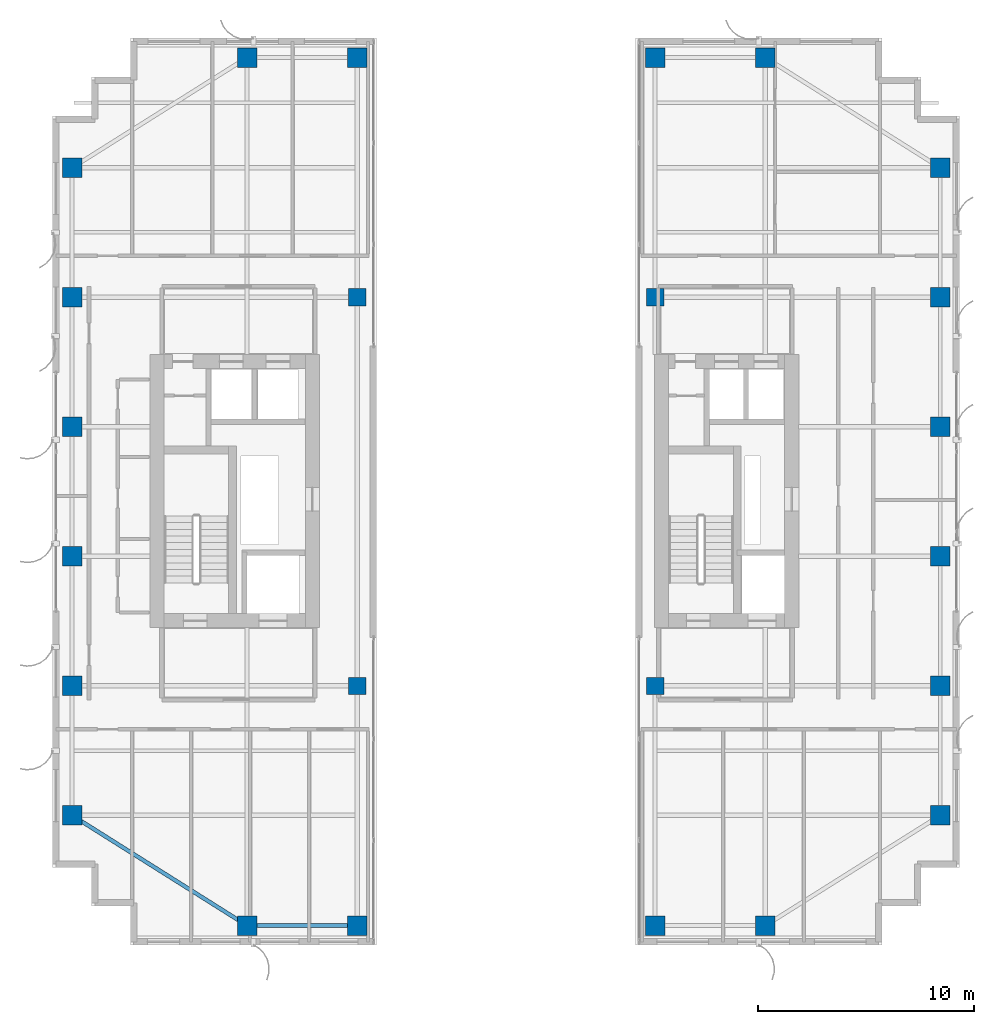
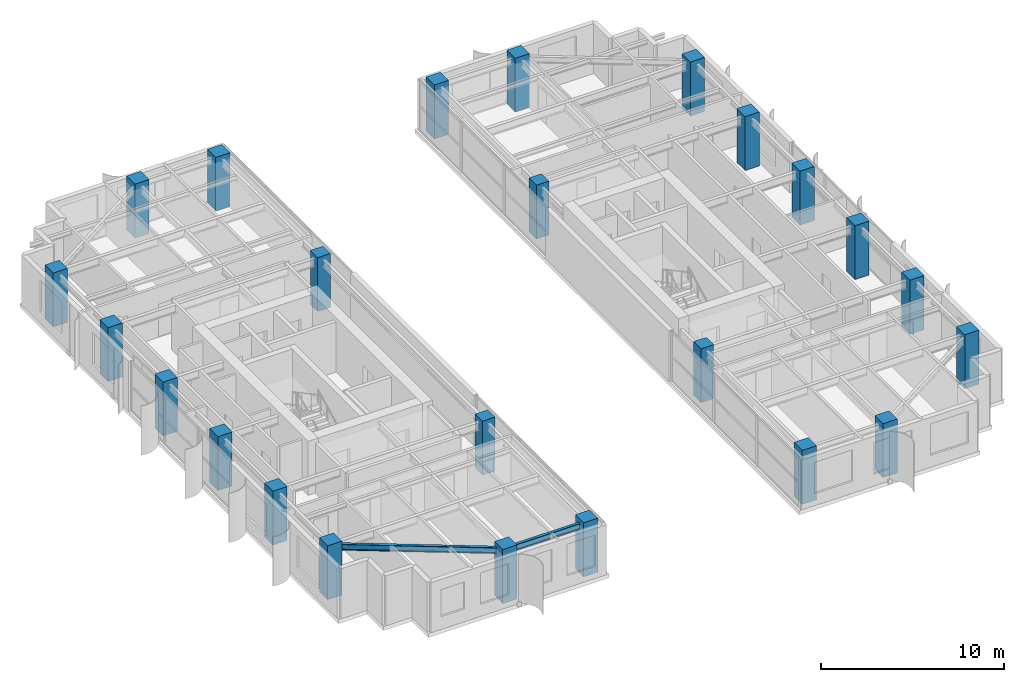
# One storey, part 1 of 22: 24 columns, 2 beams.
"""IFC4 building model written with IfcOpenShell, lengths in metres."""

from ifc_helpers import new_model, si_unit, direction, frame, origin, origin_2d, place, context, subcontext, project, spatial, rectangle, i_section, extrude, source, transform, mapped, material, material_profile, profile_set, type_object, element, save


model = new_model("IFC4")

# Units and contexts
model_context = context("Model", 3, precision=1e-05, world=origin(), true_north=direction((0.0, 1.0)))
body_context = subcontext(model_context, "Body", "Model", "MODEL_VIEW")
ifc_project = project(units=[si_unit("LENGTHUNIT", "METRE"), si_unit("AREAUNIT", "SQUARE_METRE"), si_unit("VOLUMEUNIT", "CUBIC_METRE"), si_unit("PLANEANGLEUNIT", "RADIAN"), si_unit("MASSUNIT", "GRAM", prefix="KILO")], contexts=[model_context])

# Site, building, storey
site_placement = place(None, origin())
site = spatial("IfcSite", under=ifc_project, at=site_placement, CompositionType="ELEMENT")
building_placement = place(site_placement, origin())
building = spatial("IfcBuilding", under=site, at=building_placement, Name="Khoralis Quay Care Tower", CompositionType="ELEMENT")
storey_placement = place(building_placement, frame((0.0, 0.0, 188.10009765625)))
storey = spatial("IfcBuildingStorey", under=building, at=storey_placement, Name="L49", CompositionType="ELEMENT", Elevation=188.10009765625)

# Columns
ifc_material_1 = material(Name="Concrete C65/80", Category="concrete")
ifc_material_profile_1 = material_profile(ifc_material_1, rectangle(XDim=0.89990234375, YDim=0.89990234375, at=origin_2d()), Name="Concrete C65/80")
ifc_profile_set_1 = profile_set([ifc_material_profile_1], Name="Concrete C65/80")
column_type_1 = type_object("IfcColumnType", Name="COL-C900", PredefinedType="COLUMN", material=ifc_profile_set_1)
shared_shape_1 = source(origin(), body_context, "Body", "SweptSolid", [
    extrude(rectangle(XDim=0.89990234375, YDim=0.89990234375, at=origin_2d()), origin(), (0.0, 0.0, 1.0), 3.599853515625),
])
for number, where, z_axis, x_axis, name in (
    (1, (12.0, 0.89990234375, 0.0), (0.0, 0.0, 1.0), (1.0, 0.0, 0.0), "COL-TWR-L49-01"),
    (2, (12.0, 41.10009765625, 0.0), (0.0, 0.0, 1.0), (1.0, 0.0, 0.0), "COL-TWR-L49-02"),
    (3, (17.10009765625, 0.89990234375, 0.0), (0.0, 0.0, 1.0), (1.0, 0.0, 0.0), "COL-TWR-L49-03"),
    (4, (17.10009765625, 41.10009765625, 0.0), (0.0, 0.0, 1.0), (1.0, 0.0, 0.0), "COL-TWR-L49-04"),
    (5, (30.89990234375, 0.89990234375, 0.0), (0.0, 0.0, 1.0), (1.0, 0.0, 0.0), "COL-TWR-L49-05"),
    (6, (30.89990234375, 41.10009765625, 0.0), (0.0, 0.0, 1.0), (1.0, 0.0, 0.0), "COL-TWR-L49-06"),
    (7, (36.0, 0.89990234375, 0.0), (0.0, 0.0, 1.0), (1.0, 0.0, 0.0), "COL-TWR-L49-07"),
    (8, (36.0, 41.10009765625, 0.0), (0.0, 0.0, 1.0), (1.0, 0.0, 0.0), "COL-TWR-L49-08"),
    (9, (3.89990234375, 6.0, 0.0), (0.0, 0.0, 1.0), (1.0, 0.0, 0.0), "COL-TWR-L49-09"),
    (10, (44.10009765625, 6.0, 0.0), (0.0, 0.0, 1.0), (1.0, 0.0, 0.0), "COL-TWR-L49-10"),
    (11, (3.89990234375, 12.0, 0.0), (0.0, 0.0, 1.0), (1.0, 0.0, 0.0), "COL-TWR-L49-11"),
    (12, (44.10009765625, 12.0, 0.0), (0.0, 0.0, 1.0), (1.0, 0.0, 0.0), "COL-TWR-L49-12"),
    (13, (3.89990234375, 18.0, 0.0), (0.0, 0.0, 1.0), (1.0, 0.0, 0.0), "COL-TWR-L49-13"),
    (14, (44.10009765625, 18.0, 0.0), (0.0, 0.0, 1.0), (1.0, 0.0, 0.0), "COL-TWR-L49-14"),
    (15, (3.89990234375, 24.0, 0.0), (0.0, 0.0, 1.0), (1.0, 0.0, 0.0), "COL-TWR-L49-15"),
    (16, (44.10009765625, 24.0, 0.0), (0.0, 0.0, 1.0), (1.0, 0.0, 0.0), "COL-TWR-L49-16"),
    (17, (3.89990234375, 30.0, 0.0), (0.0, 0.0, 1.0), (1.0, 0.0, 0.0), "COL-TWR-L49-17"),
    (18, (44.10009765625, 30.0, 0.0), (0.0, 0.0, 1.0), (1.0, 0.0, 0.0), "COL-TWR-L49-18"),
    (19, (3.89990234375, 36.0, 0.0), (0.0, 0.0, 1.0), (1.0, 0.0, 0.0), "COL-TWR-L49-19"),
    (20, (44.10009765625, 36.0, 0.0), (0.0, 0.0, 1.0), (1.0, 0.0, 0.0), "COL-TWR-L49-20"),
):
    element("IfcColumn", number, at=place(storey_placement, frame(where, z_axis=z_axis, x_axis=x_axis)), inside=storey, type_object=column_type_1, Name=name, PredefinedType="COLUMN", context=body_context, shape_type="MappedRepresentation", body=[
        mapped(shared_shape_1, transform((0.0, 0.0, 0.0), scale=1.0)),
    ])
ifc_material_2 = material(Name="Concrete C50/60", Category="concrete")
ifc_material_profile_2 = material_profile(ifc_material_2, rectangle(XDim=0.800048828125, YDim=0.800048828125, at=origin_2d()), Name="Concrete C50/60")
ifc_profile_set_2 = profile_set([ifc_material_profile_2], Name="Concrete C50/60")
column_type_2 = type_object("IfcColumnType", Name="COL-C800", PredefinedType="COLUMN", material=ifc_profile_set_2)
shared_shape_2 = source(origin(), body_context, "Body", "SweptSolid", [
    extrude(rectangle(XDim=0.800048828125, YDim=0.800048828125, at=origin_2d()), origin(), (0.0, 0.0, 1.0), 3.599853515625),
])
for number, where, z_axis, x_axis, name in (
    (21, (17.10009765625, 12.0, 0.0), (0.0, 0.0, 1.0), (1.0, 0.0, 0.0), "COL-TWR-L49-21"),
    (22, (17.10009765625, 30.0, 0.0), (0.0, 0.0, 1.0), (1.0, 0.0, 0.0), "COL-TWR-L49-22"),
    (23, (30.89990234375, 12.0, 0.0), (0.0, 0.0, 1.0), (1.0, 0.0, 0.0), "COL-TWR-L49-23"),
    (24, (30.89990234375, 30.0, 0.0), (0.0, 0.0, 1.0), (1.0, 0.0, 0.0), "COL-TWR-L49-24"),
):
    element("IfcColumn", number, at=place(storey_placement, frame(where, z_axis=z_axis, x_axis=x_axis)), inside=storey, type_object=column_type_2, Name=name, PredefinedType="COLUMN", context=body_context, shape_type="MappedRepresentation", body=[
        mapped(shared_shape_2, transform((0.0, 0.0, 0.0), scale=1.0)),
    ])

# Beams
ifc_material_3 = material(Name="Steel S355", Category="steel")
ifc_material_profile_3 = material_profile(ifc_material_3, i_section(OverallWidth=0.179931640625, OverallDepth=0.39990234375, WebThickness=0.008544921875, FlangeThickness=0.013427734375, FilletRadius=0.02099609375, at=origin_2d()), Name="Steel S355")
ifc_profile_set_3 = profile_set([ifc_material_profile_3], Name="Steel S355")
beam_type = type_object("IfcBeamType", Name="BM-IPE400", PredefinedType="SPANDREL", material=ifc_profile_set_3)
shared_shape_3 = source(origin(), body_context, "Body", "SweptSolid", [
    extrude(i_section(OverallWidth=0.179931640625, OverallDepth=0.39990234375, WebThickness=0.008544921875, FlangeThickness=0.013427734375, FilletRadius=0.02099609375, at=origin_2d()), origin(), (0.0, 0.0, 1.0), 5.10009765625),
])
beam_1_placement = place(storey_placement, frame((12.0, 0.89990234375, 3.139892578125), z_axis=(1.0, 0.0, 0.0), x_axis=(0.0, 1.0, 0.0)))
element("IfcBeam", 25, at=beam_1_placement, inside=storey, type_object=beam_type, Name="BM-TSP-L49-01", PredefinedType="SPANDREL", context=body_context, shape_type="MappedRepresentation", body=[
    mapped(shared_shape_3, transform((0.0, 0.0, 0.0), scale=1.0)),
])
shared_shape_4 = source(origin(), body_context, "Body", "SweptSolid", [
    extrude(i_section(OverallWidth=0.179931640625, OverallDepth=0.39990234375, WebThickness=0.008544921875, FlangeThickness=0.013427734375, FilletRadius=0.02099609375, at=origin_2d()), origin(), (0.0, 0.0, 1.0), 9.572021484375),
])
beam_2_placement = place(storey_placement, frame((12.0, 0.89990234375, 3.139892578125), z_axis=(-0.846231136359, 0.532815975602, 0.0), x_axis=(-0.532815975602, -0.846231136359, 0.0)))
element("IfcBeam", 26, at=beam_2_placement, inside=storey, type_object=beam_type, Name="BM-TCR-L49-15", PredefinedType="SPANDREL", context=body_context, shape_type="MappedRepresentation", body=[
    mapped(shared_shape_4, transform((0.0, 0.0, 0.0), scale=1.0)),
])

save(model, "model.ifc")
